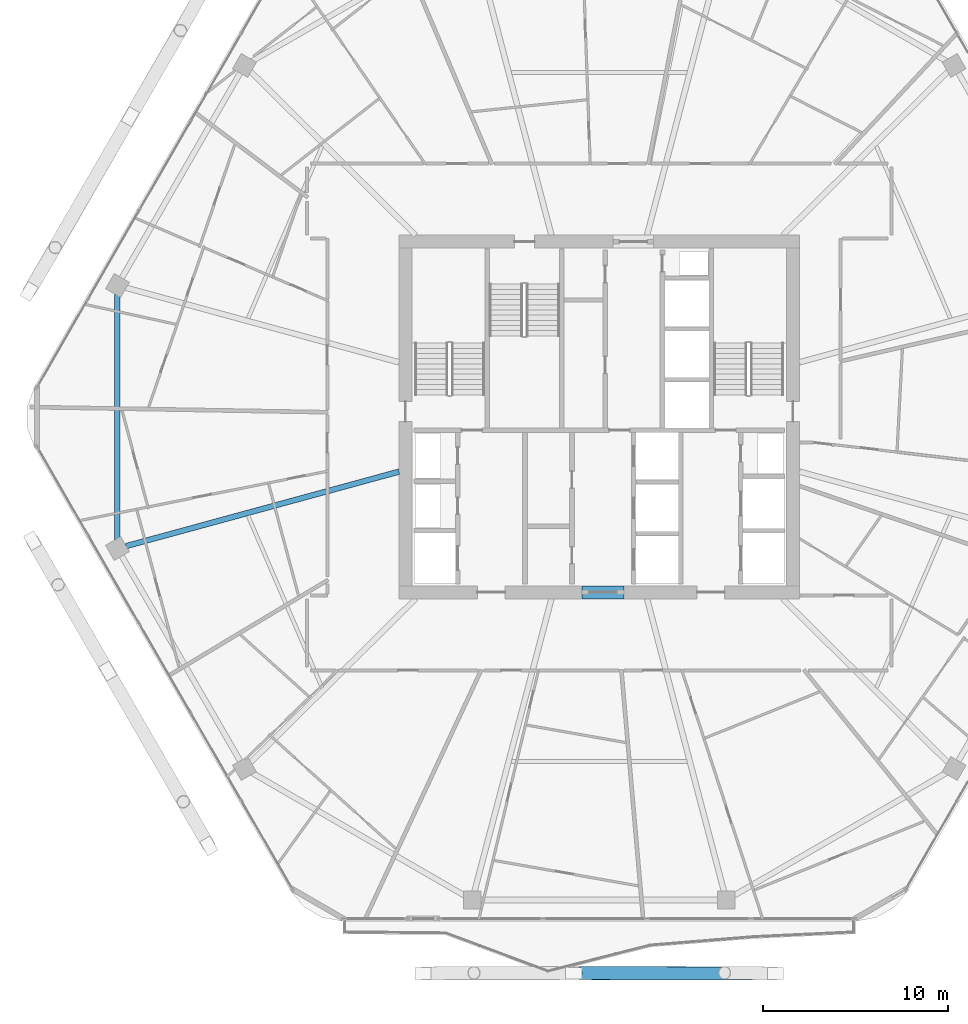
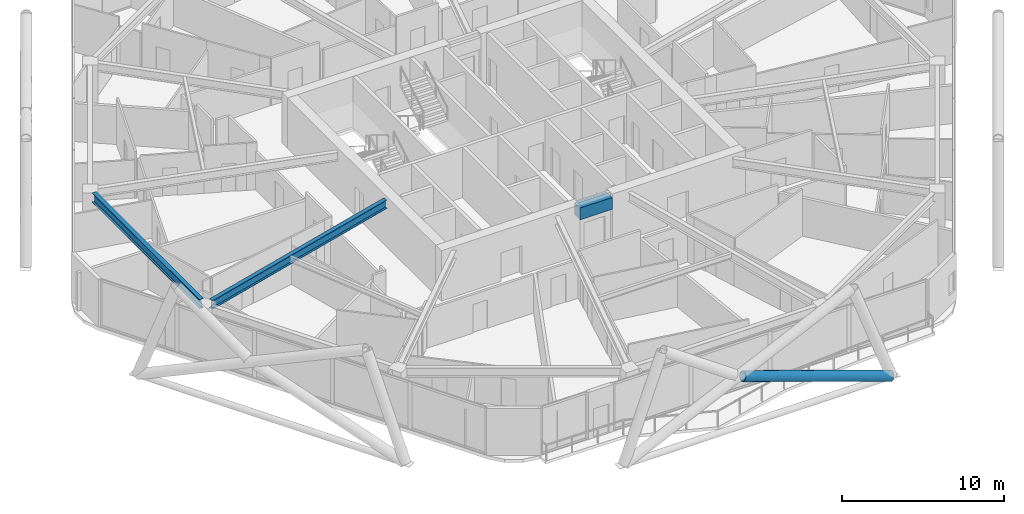
# One storey, part 6 of 28: 3 beams, 1 member.
"""IFC4 building model written with IfcOpenShell, lengths in metres."""

from ifc_helpers import new_model, si_unit, direction, frame, origin, origin_2d, place, context, subcontext, project, spatial, rectangle, hollow_circle, i_section, extrude, material, material_profile, profile_set, type_object, element, save


model = new_model("IFC4")

# Units and contexts
model_context = context("Model", 3, precision=1e-05, world=origin(), true_north=direction((0.0, 1.0)))
body_context = subcontext(model_context, "Body", "Model", "MODEL_VIEW")
ifc_project = project(units=[si_unit("LENGTHUNIT", "METRE"), si_unit("AREAUNIT", "SQUARE_METRE"), si_unit("VOLUMEUNIT", "CUBIC_METRE"), si_unit("PLANEANGLEUNIT", "RADIAN"), si_unit("MASSUNIT", "GRAM", prefix="KILO")], contexts=[model_context])

# Site, building, storey
site_placement = place(None, origin())
site = spatial("IfcSite", under=ifc_project, at=site_placement, CompositionType="ELEMENT")
building_placement = place(site_placement, origin())
building = spatial("IfcBuilding", under=site, at=building_placement, Name="Zuhravey Tower", CompositionType="ELEMENT")
storey_placement = place(building_placement, frame((0.0, 0.0, 207.39990234375)))
storey = spatial("IfcBuildingStorey", under=building, at=storey_placement, Name="L52", CompositionType="ELEMENT", Elevation=207.39990234375)

# Beam
ifc_material_1 = material(Name="Concrete C60/75", Category="concrete")
ifc_material_profile_1 = material_profile(ifc_material_1, rectangle(XDim=0.699951171875, YDim=0.89990234375, at=origin_2d()), Name="RC-700x900")
ifc_profile_set_1 = profile_set([ifc_material_profile_1], Name="Concrete C60/75")
beam_type_1 = type_object("IfcBeamType", Name="Core Coupling Beam RC700x900", PredefinedType="LINTEL", material=ifc_profile_set_1)
beam_1_placement = place(storey_placement, frame((35.052001953125, 22.5, 3.10009765625), z_axis=(1.0, 0.0, 0.0), x_axis=(0.0, 1.0, 0.0)))
element("IfcBeam", 1, at=beam_1_placement, inside=storey, type_object=beam_type_1, Name="L52 CB1 BM-L52-CB-S", PredefinedType="LINTEL", context=body_context, shape_type="SweptSolid", body=[
    extrude(rectangle(XDim=0.699951171875, YDim=0.89990234375, at=origin_2d()), origin(), (0.0, 0.0, 1.0), 2.2958984375),
])

# Member
ifc_material_2 = material(Name="Steel SM460", Category="steel")
ifc_material_profile_2 = material_profile(ifc_material_2, hollow_circle(Radius=0.355712890625, WallThickness=0.031982421875, at=origin_2d()), Name="CHS-711.2x32")
ifc_profile_set_2 = profile_set([ifc_material_profile_2], Name="Steel SM460")
member_type = type_object("IfcMemberType", Name="Exoskeleton Zone 2 Diagrid CHS711x32", PredefinedType="BRACE", material=ifc_profile_set_2)
member_placement = place(storey_placement, frame((45.51025390625, 1.846923828125, -0.4482421875), z_axis=(-0.944659547596, 0.001287239903, 0.328049816566), x_axis=(-0.00136264828, -0.999999071594, 0.0)))
element("IfcMember", 2, at=member_placement, inside=storey, type_object=member_type, Name="L52 Face 5 Split Diagrid Brace 3A", PredefinedType="BRACE", context=body_context, shape_type="SweptSolid", body=[
    extrude(hollow_circle(Radius=0.355712890625, WallThickness=0.031982421875, at=origin_2d()), origin(), (0.0, 0.0, 1.0), 11.190185546875),
])

# Beams
ifc_material_3 = material(Name="Steel SM355", Category="steel")
ifc_material_profile_3 = material_profile(ifc_material_3, i_section(OverallWidth=0.300048828125, OverallDepth=0.679931640625, WebThickness=0.012939453125, FlangeThickness=0.02197265625, at=origin_2d()), Name="H-680x300x13x22")
ifc_profile_set_3 = profile_set([ifc_material_profile_3], Name="Steel SM355")
beam_type_2 = type_object("IfcBeamType", Name="Perimeter Ring Beam H680x300", PredefinedType="BEAM", material=ifc_profile_set_3)
beam_2_placement = place(storey_placement, frame((9.892333984375, 38.6484375, 3.210205078125), z_axis=(0.0, -1.0, 0.0), x_axis=(1.0, 0.0, 0.0)))
element("IfcBeam", 3, at=beam_2_placement, inside=storey, type_object=beam_type_2, Name="L52 PB2 BM-L52-PB-06", PredefinedType="BEAM", context=body_context, shape_type="SweptSolid", body=[
    extrude(i_section(OverallWidth=0.300048828125, OverallDepth=0.679931640625, WebThickness=0.012939453125, FlangeThickness=0.02197265625, at=origin_2d()), origin(), (0.0, 0.0, 1.0), 13.296875),
])
ifc_material_profile_4 = material_profile(ifc_material_3, i_section(OverallWidth=0.300048828125, OverallDepth=0.64990234375, WebThickness=0.012939453125, FlangeThickness=0.02197265625, at=origin_2d()), Name="H-650x300x13x22")
ifc_profile_set_4 = profile_set([ifc_material_profile_4], Name="Steel SM355")
beam_type_3 = type_object("IfcBeamType", Name="Radial Primary Girder H650x300", PredefinedType="BEAM", material=ifc_profile_set_4)
beam_3_placement = place(storey_placement, frame((25.14697265625, 29.03759765625, 3.22509765625), z_axis=(-0.964701703464, -0.263345065139, 0.0), x_axis=(0.263345065139, -0.964701703464, 0.0)))
element("IfcBeam", 4, at=beam_3_placement, inside=storey, type_object=beam_type_3, Name="L52 RG2 BM-L52-RAD-07", PredefinedType="BEAM", context=body_context, shape_type="SweptSolid", body=[
    extrude(i_section(OverallWidth=0.300048828125, OverallDepth=0.64990234375, WebThickness=0.012939453125, FlangeThickness=0.02197265625, at=origin_2d()), origin(), (0.0, 0.0, 1.0), 15.334716796875),
])

save(model, "model.ifc")
